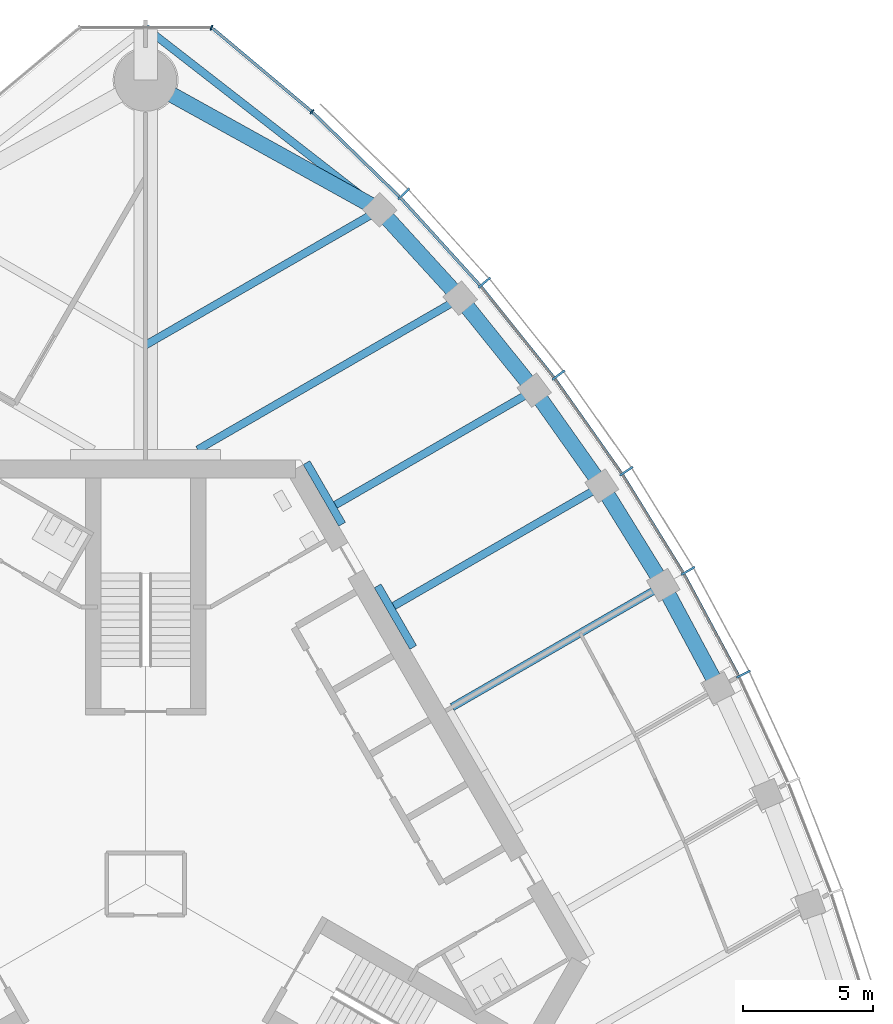
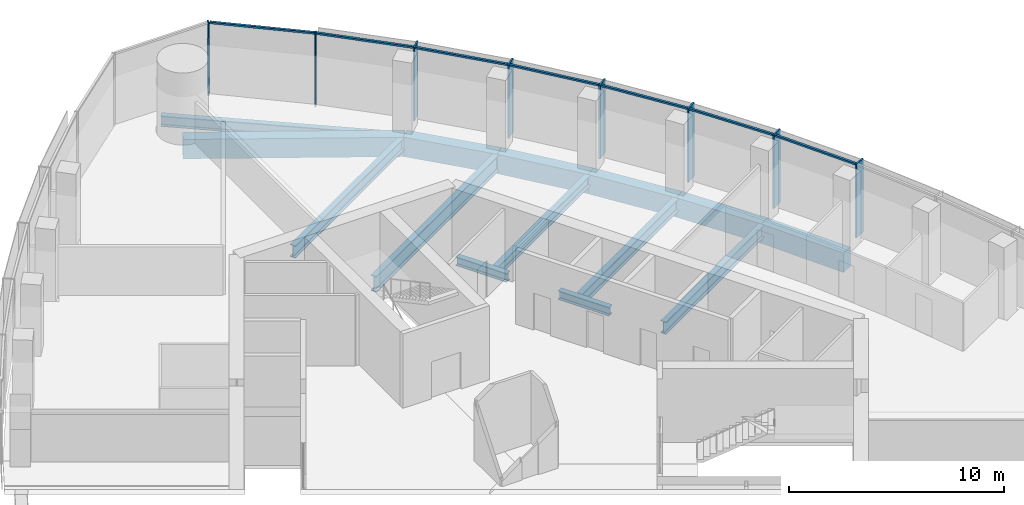
# One storey, part 6 of 16: 15 members, 14 beams, 2 elements without a shape of their own.
"""IFC4 building model written with IfcOpenShell, lengths in metres."""

from ifc_helpers import new_model, si_unit, direction, frame, origin, origin_2d, place, context, subcontext, project, spatial, rectangle, i_section, extrude, material, material_profile, profile_set, type_object, element, aggregate, save


model = new_model("IFC4")

# Units and contexts
model_context = context("Model", 3, precision=1e-05, world=origin(), true_north=direction((0.0, 1.0)))
body_context = subcontext(model_context, "Body", "Model", "MODEL_VIEW")
ifc_project = project(units=[si_unit("LENGTHUNIT", "METRE"), si_unit("AREAUNIT", "SQUARE_METRE"), si_unit("VOLUMEUNIT", "CUBIC_METRE"), si_unit("PLANEANGLEUNIT", "RADIAN"), si_unit("MASSUNIT", "GRAM", prefix="KILO")], contexts=[model_context])

# Site, building, storey
site_placement = place(None, origin())
site = spatial("IfcSite", under=ifc_project, at=site_placement, CompositionType="ELEMENT")
building_placement = place(site_placement, origin())
building = spatial("IfcBuilding", under=site, at=building_placement, Name="Trefoil Bronze Tower", CompositionType="ELEMENT")
storey_placement = place(building_placement, frame((0.0, 0.0, 293.10009765625)))
storey = spatial("IfcBuildingStorey", under=building, at=storey_placement, Name="L67", CompositionType="ELEMENT", Elevation=293.10009765625)

# Curtain wall, members
ifc_material_1 = material(Name="Tinted solar-control glass", Category="glass")
curtain_wall_type_1 = type_object("IfcCurtainWallType", Name="Bronze office curtain wall", PredefinedType="USERDEFINED", material=ifc_material_1)
curtain_wall_1_placement = place(storey_placement, origin())
curtain_wall_1 = element("IfcCurtainWall", 1, at=curtain_wall_1_placement, inside=storey, type_object=curtain_wall_type_1, Name="CW-A L67 F2", ObjectType="CURTAIN WALL", PredefinedType="USERDEFINED")
ifc_material_2 = material(Name="Bronze-finish aluminium", Category="aluminium")
ifc_material_profile_1 = material_profile(ifc_material_2, rectangle(XDim=0.60009765625, YDim=0.080078125, at=origin_2d()), Name="CW-A mullion")
ifc_profile_set_1 = profile_set([ifc_material_profile_1], Name="Bronze-finish aluminium")
member_type_1 = type_object("IfcMemberType", Name="Bronze office curtain wall mullion", PredefinedType="MULLION", material=ifc_profile_set_1)
member_1_placement = place(storey_placement, frame((23.056396484375, 8.094482421875, 0.0), z_axis=(0.0, 0.0, 1.0), x_axis=(-0.894713198289, -0.44664112306, 0.0)))
member_1 = element("IfcMember", 2, at=member_1_placement, type_object=member_type_1, Name="CW-A L67 F2 mullion 5", PredefinedType="MULLION", context=body_context, shape_type="SweptSolid", body=[
    extrude(rectangle(XDim=0.60009765625, YDim=0.080078125, at=origin_2d()), origin(), (0.0, 0.0, 1.0), 4.179931640625),
])
member_2_placement = place(storey_placement, frame((20.916015625, 12.07568359375, 0.0), z_axis=(0.0, 0.0, 1.0), x_axis=(-0.866025403784, -0.5, 0.0)))
member_2 = element("IfcMember", 3, at=member_2_placement, type_object=member_type_1, Name="CW-A L67 F2 mullion 6", PredefinedType="MULLION", context=body_context, shape_type="SweptSolid", body=[
    extrude(rectangle(XDim=0.60009765625, YDim=0.080078125, at=origin_2d()), origin(), (0.0, 0.0, 1.0), 4.179931640625),
])
member_3_placement = place(storey_placement, frame((18.538330078125, 15.920166015625, 0.0), z_axis=(0.0, 0.0, 1.0), x_axis=(-0.834159158089, -0.551523797289, 0.0)))
member_3 = element("IfcMember", 4, at=member_3_placement, type_object=member_type_1, Name="CW-A L67 F2 mullion 7", PredefinedType="MULLION", context=body_context, shape_type="SweptSolid", body=[
    extrude(rectangle(XDim=0.60009765625, YDim=0.080078125, at=origin_2d()), origin(), (0.0, 0.0, 1.0), 4.179931640625),
])
member_4_placement = place(storey_placement, frame((15.922607421875, 19.627197265625, 0.0), z_axis=(0.0, 0.0, 1.0), x_axis=(-0.799096076136, -0.601203344222, 0.0)))
member_4 = element("IfcMember", 5, at=member_4_placement, type_object=member_type_1, Name="CW-A L67 F2 mullion 8", PredefinedType="MULLION", context=body_context, shape_type="SweptSolid", body=[
    extrude(rectangle(XDim=0.60009765625, YDim=0.080078125, at=origin_2d()), origin(), (0.0, 0.0, 1.0), 4.179931640625),
])
member_5_placement = place(storey_placement, frame((13.064453125, 23.194091796875, 0.0), z_axis=(0.0, 0.0, 1.0), x_axis=(-0.760781190165, -0.649008459646, 0.0)))
member_5 = element("IfcMember", 6, at=member_5_placement, type_object=member_type_1, Name="CW-A L67 F2 mullion 9", PredefinedType="MULLION", context=body_context, shape_type="SweptSolid", body=[
    extrude(rectangle(XDim=0.60009765625, YDim=0.080078125, at=origin_2d()), origin(), (0.0, 0.0, 1.0), 4.179931640625),
])
member_6_placement = place(storey_placement, frame((9.957275390625, 26.617431640625, 0.0), z_axis=(0.0, 0.0, 1.0), x_axis=(-0.719001349715, -0.695008675564, 0.0)))
member_6 = element("IfcMember", 7, at=member_6_placement, type_object=member_type_1, Name="CW-A L67 F2 mullion 10", PredefinedType="MULLION", context=body_context, shape_type="SweptSolid", body=[
    extrude(rectangle(XDim=0.60009765625, YDim=0.080078125, at=origin_2d()), origin(), (0.0, 0.0, 1.0), 4.179931640625),
])
ifc_material_3 = material(Name="Bronze-finish aluminium", Category="aluminium")
ifc_material_profile_2 = material_profile(ifc_material_3, rectangle(XDim=0.1201171875, YDim=0.10009765625, at=origin_2d()), Name="CW-A transom")
ifc_profile_set_2 = profile_set([ifc_material_profile_2], Name="Bronze-finish aluminium")
member_type_2 = type_object("IfcMemberType", Name="Bronze office curtain wall transom", PredefinedType="USERDEFINED", material=ifc_profile_set_2)
member_7_placement = place(storey_placement, frame((22.857177734375, 8.043212890625, 4.1298828125), z_axis=(-0.473540024981, 0.880772300167, 0.0), x_axis=(-0.880772300167, -0.473540024981, 0.0)))
member_7 = element("IfcMember", 8, at=member_7_placement, type_object=member_type_2, Name="CW-A L67 F2 transom 5", ObjectType="TRANSOM", PredefinedType="USERDEFINED", context=body_context, shape_type="SweptSolid", body=[
    extrude(rectangle(XDim=0.1201171875, YDim=0.10009765625, at=origin_2d()), origin(), (0.0, 0.0, 1.0), 4.422119140625),
])
member_8_placement = place(storey_placement, frame((20.72021484375, 12.012451171875, 4.1298828125), z_axis=(-0.525978235299, 0.850498028212, 0.0), x_axis=(-0.850498028212, -0.525978235299, 0.0)))
member_8 = element("IfcMember", 9, at=member_8_placement, type_object=member_type_2, Name="CW-A L67 F2 transom 6", ObjectType="TRANSOM", PredefinedType="USERDEFINED", context=body_context, shape_type="SweptSolid", body=[
    extrude(rectangle(XDim=0.1201171875, YDim=0.10009765625, at=origin_2d()), origin(), (0.0, 0.0, 1.0), 4.422119140625),
])
member_9_placement = place(storey_placement, frame((18.3466796875, 15.84521484375, 4.1298828125), z_axis=(-0.5765665752, 0.817050172488, 0.0), x_axis=(-0.817050172488, -0.5765665752, 0.0)))
member_9 = element("IfcMember", 10, at=member_9_placement, type_object=member_type_2, Name="CW-A L67 F2 transom 7", ObjectType="TRANSOM", PredefinedType="USERDEFINED", context=body_context, shape_type="SweptSolid", body=[
    extrude(rectangle(XDim=0.1201171875, YDim=0.10009765625, at=origin_2d()), origin(), (0.0, 0.0, 1.0), 4.4384765625),
])
member_10_placement = place(storey_placement, frame((15.73583984375, 19.54052734375, 4.1298828125), z_axis=(-0.625300648488, 0.780383943325, 0.0), x_axis=(-0.780383943325, -0.625300648488, 0.0)))
member_10 = element("IfcMember", 11, at=member_10_placement, type_object=member_type_2, Name="CW-A L67 F2 transom 8", ObjectType="TRANSOM", PredefinedType="USERDEFINED", context=body_context, shape_type="SweptSolid", body=[
    extrude(rectangle(XDim=0.1201171875, YDim=0.10009765625, at=origin_2d()), origin(), (0.0, 0.0, 1.0), 4.472412109375),
])
member_11_placement = place(storey_placement, frame((12.88330078125, 23.09619140625, 4.1298828125), z_axis=(-0.672068269674, 0.740489190264, 0.0), x_axis=(-0.740489190264, -0.672068269674, 0.0)))
member_11 = element("IfcMember", 12, at=member_11_placement, type_object=member_type_2, Name="CW-A L67 F2 transom 9", ObjectType="TRANSOM", PredefinedType="USERDEFINED", context=body_context, shape_type="SweptSolid", body=[
    extrude(rectangle(XDim=0.1201171875, YDim=0.10009765625, at=origin_2d()), origin(), (0.0, 0.0, 1.0), 4.5244140625),
])
member_12_placement = place(storey_placement, frame((9.782470703125, 26.508544921875, 4.1298828125), z_axis=(-0.717224617883, 0.696842053484, 0.0), x_axis=(-0.696842053484, -0.717224617883, 0.0)))
member_12 = element("IfcMember", 13, at=member_12_placement, type_object=member_type_2, Name="CW-A L67 F2 transom 10", ObjectType="TRANSOM", PredefinedType="USERDEFINED", context=body_context, shape_type="SweptSolid", body=[
    extrude(rectangle(XDim=0.1201171875, YDim=0.10009765625, at=origin_2d()), origin(), (0.0, 0.0, 1.0), 4.6474609375),
])
aggregate(curtain_wall_1, [member_1, member_2, member_3, member_4, member_5, member_6, member_7, member_8, member_9, member_10, member_11, member_12])

ifc_material_4 = material(Name="Tinted solar-control glass", Category="glass")
curtain_wall_type_2 = type_object("IfcCurtainWallType", Name="Bronze rounded corner curtain wall", PredefinedType="USERDEFINED", material=ifc_material_4)
curtain_wall_2_placement = place(storey_placement, origin())
curtain_wall_2 = element("IfcCurtainWall", 14, at=curtain_wall_2_placement, inside=storey, type_object=curtain_wall_type_2, Name="CW-B L67 K2", ObjectType="CURTAIN WALL", PredefinedType="USERDEFINED")
ifc_material_5 = material(Name="Bronze-finish aluminium", Category="aluminium")
ifc_material_profile_3 = material_profile(ifc_material_5, rectangle(XDim=0.199951171875, YDim=0.06005859375, at=origin_2d()), Name="CW-B mullion")
ifc_profile_set_3 = profile_set([ifc_material_profile_3], Name="Bronze-finish aluminium")
member_type_3 = type_object("IfcMemberType", Name="Bronze rounded corner curtain wall mullion", PredefinedType="MULLION", material=ifc_profile_set_3)
member_13_placement = place(storey_placement, frame((6.4150390625, 29.77978515625, 0.0), z_axis=(0.0, 0.0, 1.0), x_axis=(-0.642787609687, -0.766044443119, 0.0)))
member_13 = element("IfcMember", 15, at=member_13_placement, type_object=member_type_3, Name="CW-B L67 K2 mullion 1", PredefinedType="MULLION", context=body_context, shape_type="SweptSolid", body=[
    extrude(rectangle(XDim=0.199951171875, YDim=0.06005859375, at=origin_2d()), origin(), (0.0, 0.0, 1.0), 4.179931640625),
])
member_14_placement = place(storey_placement, frame((2.542236328125, 33.021484375, 0.0), z_axis=(0.0, 0.0, 1.0), x_axis=(-0.342020143326, -0.939692620786, 0.0)))
member_14 = element("IfcMember", 16, at=member_14_placement, type_object=member_type_3, Name="CW-B L67 K2 mullion 2", PredefinedType="MULLION", context=body_context, shape_type="SweptSolid", body=[
    extrude(rectangle(XDim=0.199951171875, YDim=0.06005859375, at=origin_2d()), origin(), (0.0, 0.0, 1.0), 4.179931640625),
])
ifc_material_6 = material(Name="Bronze-finish aluminium", Category="aluminium")
ifc_material_profile_4 = material_profile(ifc_material_6, rectangle(XDim=0.1201171875, YDim=0.10009765625, at=origin_2d()), Name="CW-B transom")
ifc_profile_set_4 = profile_set([ifc_material_profile_4], Name="Bronze-finish aluminium")
member_type_4 = type_object("IfcMemberType", Name="Bronze rounded corner curtain wall transom", PredefinedType="USERDEFINED", material=ifc_profile_set_4)
member_15_placement = place(storey_placement, frame((6.39208984375, 29.799072265625, 4.1298828125), z_axis=(-0.766040522511, 0.642792282056, 0.0), x_axis=(-0.642792282056, -0.766040522511, 0.0)))
member_15 = element("IfcMember", 17, at=member_15_placement, type_object=member_type_4, Name="CW-B L67 K2 transom 1", ObjectType="TRANSOM", PredefinedType="USERDEFINED", context=body_context, shape_type="SweptSolid", body=[
    extrude(rectangle(XDim=0.1201171875, YDim=0.10009765625, at=origin_2d()), origin(), (0.0, 0.0, 1.0), 4.9560546875),
])
aggregate(curtain_wall_2, [member_13, member_14, member_15])

# Beams
ifc_material_7 = material(Name="Steel C355", Category="steel")
ifc_material_profile_5 = material_profile(ifc_material_7, i_section(OverallWidth=0.300048828125, OverallDepth=0.5, WebThickness=0.014404296875, FlangeThickness=0.028076171875, FilletRadius=0.027099609375, at=origin_2d()), Name="HEB 500")
ifc_profile_set_5 = profile_set([ifc_material_profile_5], Name="Steel C355")
beam_type_1 = type_object("IfcBeamType", Name="Core seat beam HEB 500", PredefinedType="BEAM", material=ifc_profile_set_5)
for number, where, z_axis, x_axis, name in (
    (18, (10.320068359375, 9.125, -0.4501953125), (-0.499969057507, 0.866043267704, 0.0), (-0.866043267704, -0.499969057507, 0.0), "Core seat beam F2/+1 L67"),
    (19, (7.57763671875, 13.875, -0.4501953125), (-0.499969057507, 0.866043267704, 0.0), (-0.866043267704, -0.499969057507, 0.0), "Core seat beam F2/+2 L67"),
):
    element("IfcBeam", number, at=place(storey_placement, frame(where, z_axis=z_axis, x_axis=x_axis)), inside=storey, type_object=beam_type_1, Name=name, PredefinedType="BEAM", context=body_context, shape_type="SweptSolid", body=[
        extrude(i_section(OverallWidth=0.300048828125, OverallDepth=0.5, WebThickness=0.014404296875, FlangeThickness=0.028076171875, FilletRadius=0.027099609375, at=origin_2d()), origin(), (0.0, 0.0, 1.0), 2.742431640625),
    ])
ifc_material_8 = material(Name="Steel C355", Category="steel")
ifc_material_profile_6 = material_profile(ifc_material_8, i_section(OverallWidth=0.300048828125, OverallDepth=0.60009765625, WebThickness=0.015380859375, FlangeThickness=0.030029296875, FilletRadius=0.027099609375, at=origin_2d()), Name="HEB 600")
ifc_profile_set_6 = profile_set([ifc_material_profile_6], Name="Steel C355")
beam_type_2 = type_object("IfcBeamType", Name="Corner edge beam HEB 600", PredefinedType="BEAM", material=ifc_profile_set_6)
beam_1_placement = place(storey_placement, frame((9.02734375, 25.99658203125, -0.5), z_axis=(-0.789270604977, 0.614045529354, 0.0), x_axis=(-0.614045529354, -0.789270604977, 0.0)))
element("IfcBeam", 20, at=beam_1_placement, inside=storey, type_object=beam_type_2, Name="Corner edge beam F2A L67", PredefinedType="BEAM", context=body_context, shape_type="SweptSolid", body=[
    extrude(i_section(OverallWidth=0.300048828125, OverallDepth=0.60009765625, WebThickness=0.015380859375, FlangeThickness=0.030029296875, FilletRadius=0.027099609375, at=origin_2d()), origin(), (0.0, 0.0, 1.0), 11.4375),
])
ifc_material_9 = material(Name="Concrete B80", Category="concrete")
ifc_material_profile_7 = material_profile(ifc_material_9, rectangle(XDim=0.60009765625, YDim=1.10009765625, at=origin_2d()), Name="RC 600x1100")
ifc_profile_set_7 = profile_set([ifc_material_profile_7], Name="Concrete B80")
beam_type_3 = type_object("IfcBeamType", Name="End spandrel beam RC 600x1100", PredefinedType="SPANDREL", material=ifc_profile_set_7)
beam_2_placement = place(storey_placement, frame((9.02734375, 25.99658203125, -0.75), z_axis=(-0.874641085074, 0.484771051426, 0.0), x_axis=(-0.484771051426, -0.874641085074, 0.0)))
element("IfcBeam", 21, at=beam_2_placement, inside=storey, type_object=beam_type_3, Name="Spandrel F2.10 L67", PredefinedType="SPANDREL", context=body_context, shape_type="SweptSolid", body=[
    extrude(rectangle(XDim=0.60009765625, YDim=1.10009765625, at=origin_2d()), origin(), (0.0, 0.0, 1.0), 10.3212890625),
])
ifc_material_10 = material(Name="Steel C355", Category="steel")
ifc_material_profile_8 = material_profile(ifc_material_10, i_section(OverallWidth=0.300048828125, OverallDepth=0.60009765625, WebThickness=0.015380859375, FlangeThickness=0.030029296875, FilletRadius=0.027099609375, at=origin_2d()), Name="HEB 600")
ifc_profile_set_8 = profile_set([ifc_material_profile_8], Name="Steel C355")
beam_type_4 = type_object("IfcBeamType", Name="Floor beam HEB 600", PredefinedType="BEAM", material=ifc_profile_set_8)
beam_3_placement = place(storey_placement, frame((14.98486328125, 19.043701171875, -0.5), z_axis=(-0.866025701847, -0.499999483739, 0.0), x_axis=(0.499999483739, -0.866025701847, 0.0)))
element("IfcBeam", 22, at=beam_3_placement, inside=storey, type_object=beam_type_4, Name="Floor beam F2/+2 L67", PredefinedType="BEAM", context=body_context, shape_type="SweptSolid", body=[
    extrude(i_section(OverallWidth=0.300048828125, OverallDepth=0.60009765625, WebThickness=0.015380859375, FlangeThickness=0.030029296875, FilletRadius=0.027099609375, at=origin_2d()), origin(), (0.0, 0.0, 1.0), 8.84912109375),
])
ifc_material_11 = material(Name="Steel C355", Category="steel")
ifc_material_profile_9 = material_profile(ifc_material_11, i_section(OverallWidth=0.300048828125, OverallDepth=0.699951171875, WebThickness=0.01708984375, FlangeThickness=0.031982421875, FilletRadius=0.027099609375, at=origin_2d()), Name="HEB 700")
ifc_profile_set_9 = profile_set([ifc_material_profile_9], Name="Steel C355")
beam_type_5 = type_object("IfcBeamType", Name="Floor beam HEB 700", PredefinedType="BEAM", material=ifc_profile_set_9)
beam_4_placement = place(storey_placement, frame((19.96337890625, 11.52587890625, -0.550048828125), z_axis=(-0.866021259968, -0.500007177232, 0.0), x_axis=(0.500007177232, -0.866021259968, 0.0)))
element("IfcBeam", 23, at=beam_4_placement, inside=storey, type_object=beam_type_5, Name="Floor beam F2/+0 L67", PredefinedType="BEAM", context=body_context, shape_type="SweptSolid", body=[
    extrude(i_section(OverallWidth=0.300048828125, OverallDepth=0.699951171875, WebThickness=0.01708984375, FlangeThickness=0.031982421875, FilletRadius=0.027099609375, at=origin_2d()), origin(), (0.0, 0.0, 1.0), 9.401611328125),
])
beam_5_placement = place(storey_placement, frame((17.593994140625, 15.35400390625, -0.550048828125), z_axis=(-0.866028909405, -0.499993928037, 0.0), x_axis=(0.499993928037, -0.866028909405, 0.0)))
element("IfcBeam", 24, at=beam_5_placement, inside=storey, type_object=beam_type_5, Name="Floor beam F2/+1 L67", PredefinedType="BEAM", context=body_context, shape_type="SweptSolid", body=[
    extrude(i_section(OverallWidth=0.300048828125, OverallDepth=0.699951171875, WebThickness=0.01708984375, FlangeThickness=0.031982421875, FilletRadius=0.027099609375, at=origin_2d()), origin(), (0.0, 0.0, 1.0), 9.263671875),
])
beam_6_placement = place(storey_placement, frame((9.02734375, 25.99658203125, -0.550048828125), z_axis=(-0.866026453994, -0.499998180979, 0.0), x_axis=(0.499998180979, -0.866026453994, 0.0)))
element("IfcBeam", 25, at=beam_6_placement, inside=storey, type_object=beam_type_5, Name="Floor beam F2/+4 L67", PredefinedType="BEAM", context=body_context, shape_type="SweptSolid", body=[
    extrude(i_section(OverallWidth=0.300048828125, OverallDepth=0.699951171875, WebThickness=0.01708984375, FlangeThickness=0.031982421875, FilletRadius=0.027099609375, at=origin_2d()), origin(), (0.0, 0.0, 1.0), 10.423828125),
])
ifc_material_12 = material(Name="Steel C355", Category="steel")
ifc_material_profile_10 = material_profile(ifc_material_12, i_section(OverallWidth=0.300048828125, OverallDepth=0.89990234375, WebThickness=0.0185546875, FlangeThickness=0.034912109375, FilletRadius=0.030029296875, at=origin_2d()), Name="HEB 900")
ifc_profile_set_10 = profile_set([ifc_material_profile_10], Name="Steel C355")
beam_type_6 = type_object("IfcBeamType", Name="Floor beam HEB 900", PredefinedType="BEAM", material=ifc_profile_set_10)
beam_7_placement = place(storey_placement, frame((12.131591796875, 22.5927734375, -0.650146484375), z_axis=(-0.866017882563, -0.500013026912, 0.0), x_axis=(0.500013026912, -0.866017882563, 0.0)))
element("IfcBeam", 26, at=beam_7_placement, inside=storey, type_object=beam_type_6, Name="Floor beam F2/+3 L67", PredefinedType="BEAM", context=body_context, shape_type="SweptSolid", body=[
    extrude(i_section(OverallWidth=0.300048828125, OverallDepth=0.89990234375, WebThickness=0.0185546875, FlangeThickness=0.034912109375, FilletRadius=0.030029296875, at=origin_2d()), origin(), (0.0, 0.0, 1.0), 11.685302734375),
])
ifc_material_13 = material(Name="Concrete B80", Category="concrete")
ifc_material_profile_11 = material_profile(ifc_material_13, rectangle(XDim=0.60009765625, YDim=1.10009765625, at=origin_2d()), Name="RC 600x1100")
ifc_profile_set_11 = profile_set([ifc_material_profile_11], Name="Concrete B80")
beam_type_7 = type_object("IfcBeamType", Name="Spandrel beam RC 600x1100", PredefinedType="SPANDREL", material=ifc_profile_set_11)
beam_8_placement = place(storey_placement, frame((22.093994140625, 7.559814453125, -0.75), z_axis=(-0.473245885676, 0.880930378458, 0.0), x_axis=(-0.880930378458, -0.473245885676, 0.0)))
element("IfcBeam", 27, at=beam_8_placement, inside=storey, type_object=beam_type_7, Name="Spandrel F2.5 L67", PredefinedType="SPANDREL", context=body_context, shape_type="SweptSolid", body=[
    extrude(rectangle(XDim=0.60009765625, YDim=1.10009765625, at=origin_2d()), origin(), (0.0, 0.0, 1.0), 4.502197265625),
])
beam_9_placement = place(storey_placement, frame((19.96337890625, 11.52587890625, -0.75), z_axis=(-0.526289271956, 0.850305593433, 0.0), x_axis=(-0.850305593433, -0.526289271956, 0.0)))
element("IfcBeam", 28, at=beam_9_placement, inside=storey, type_object=beam_type_7, Name="Spandrel F2.6 L67", PredefinedType="SPANDREL", context=body_context, shape_type="SweptSolid", body=[
    extrude(rectangle(XDim=0.60009765625, YDim=1.10009765625, at=origin_2d()), origin(), (0.0, 0.0, 1.0), 4.501953125),
])
beam_10_placement = place(storey_placement, frame((17.593994140625, 15.35400390625, -0.75), z_axis=(-0.577368105169, 0.816483968693, 0.0), x_axis=(-0.816483968693, -0.577368105169, 0.0)))
element("IfcBeam", 29, at=beam_10_placement, inside=storey, type_object=beam_type_7, Name="Spandrel F2.7 L67", PredefinedType="SPANDREL", context=body_context, shape_type="SweptSolid", body=[
    extrude(rectangle(XDim=0.60009765625, YDim=1.10009765625, at=origin_2d()), origin(), (0.0, 0.0, 1.0), 4.51904296875),
])
beam_11_placement = place(storey_placement, frame((14.98486328125, 19.043701171875, -0.75), z_axis=(-0.626569682592, 0.779365403939, 0.0), x_axis=(-0.779365403939, -0.626569682592, 0.0)))
element("IfcBeam", 30, at=beam_11_placement, inside=storey, type_object=beam_type_7, Name="Spandrel F2.8 L67", PredefinedType="SPANDREL", context=body_context, shape_type="SweptSolid", body=[
    extrude(rectangle(XDim=0.60009765625, YDim=1.10009765625, at=origin_2d()), origin(), (0.0, 0.0, 1.0), 4.5537109375),
])
beam_12_placement = place(storey_placement, frame((12.131591796875, 22.5927734375, -0.75), z_axis=(-0.673845775847, 0.738872025707, 0.0), x_axis=(-0.738872025707, -0.673845775847, 0.0)))
element("IfcBeam", 31, at=beam_12_placement, inside=storey, type_object=beam_type_7, Name="Spandrel F2.9 L67", PredefinedType="SPANDREL", context=body_context, shape_type="SweptSolid", body=[
    extrude(rectangle(XDim=0.60009765625, YDim=1.10009765625, at=origin_2d()), origin(), (0.0, 0.0, 1.0), 4.606689453125),
])

save(model, "model.ifc")
